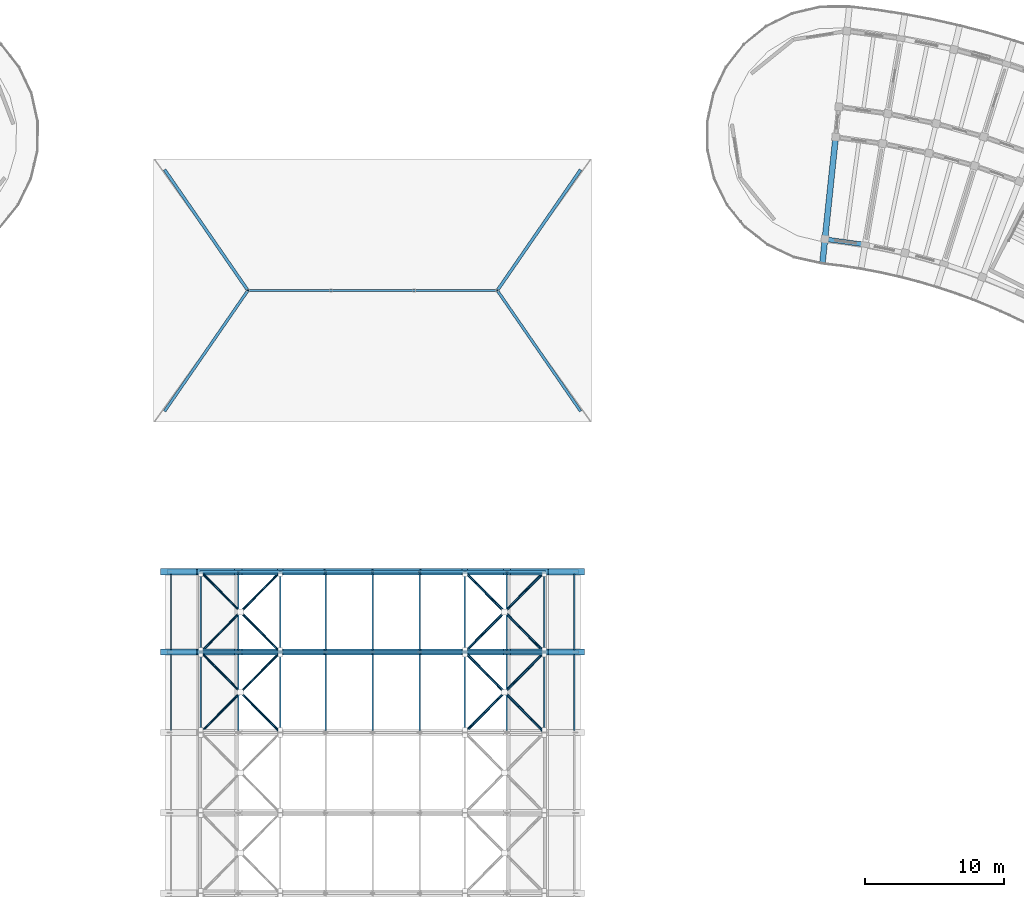
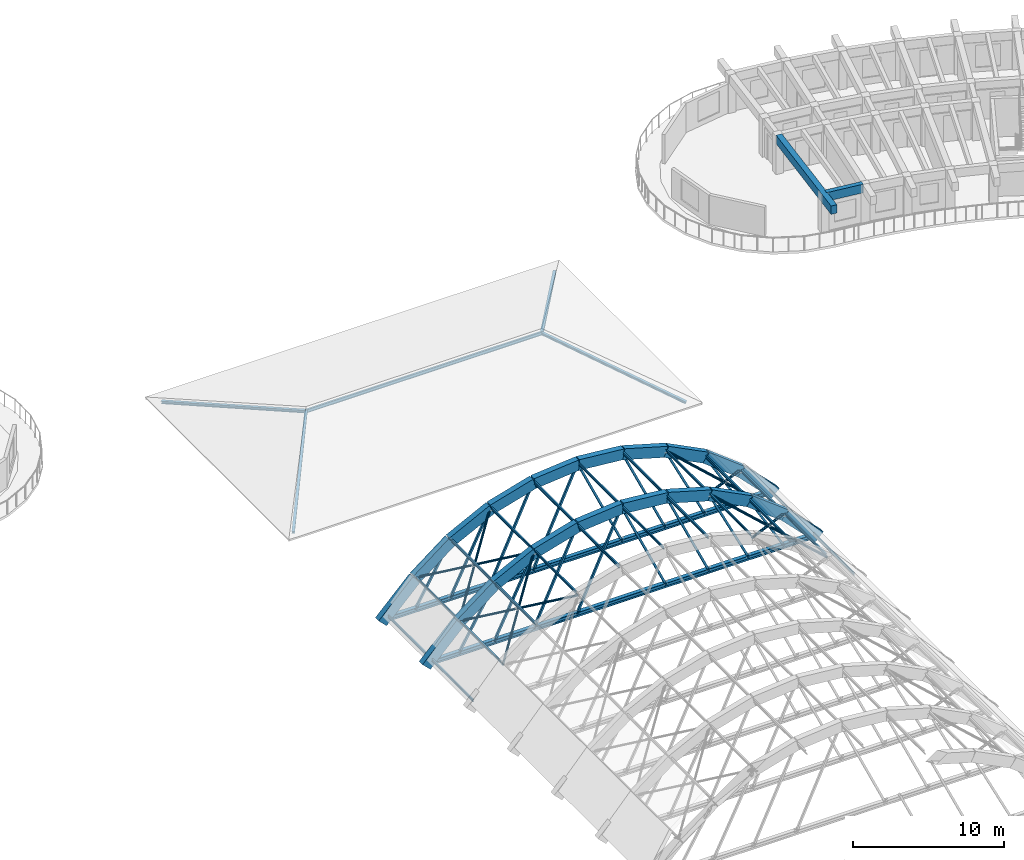
# One storey, part 15 of 81: 54 members, 25 beams.
"""IFC4 building model written with IfcOpenShell, lengths in metres."""

from ifc_helpers import new_model, si_unit, direction, frame, origin, origin_2d, place, context, subcontext, project, spatial, rectangle, hollow_rectangle, hollow_circle, i_section, extrude, material, material_profile, profile_set, type_object, element, save


model = new_model("IFC4")

# Units and contexts
model_context = context("Model", 3, precision=1e-05, world=origin(), true_north=direction((0.0, 1.0)))
body_context = subcontext(model_context, "Body", "Model", "MODEL_VIEW")
ifc_project = project(units=[si_unit("LENGTHUNIT", "METRE"), si_unit("AREAUNIT", "SQUARE_METRE"), si_unit("VOLUMEUNIT", "CUBIC_METRE"), si_unit("PLANEANGLEUNIT", "RADIAN"), si_unit("MASSUNIT", "GRAM", prefix="KILO")], contexts=[model_context])

# Site, building, storey
site_placement = place(None, origin())
site = spatial("IfcSite", under=ifc_project, at=site_placement, CompositionType="ELEMENT")
building_placement = place(site_placement, origin())
building = spatial("IfcBuilding", under=site, at=building_placement, Name="Tanwirah Colonnade Gardens", CompositionType="ELEMENT")
storey_placement = place(building_placement, frame((0.0, 0.0, 8.840087890625)))
storey = spatial("IfcBuildingStorey", under=building, at=storey_placement, Name="L02", CompositionType="ELEMENT", Elevation=8.840087890625)

# Beam
ifc_material_1 = material(Name="Precast concrete C45/55", Category="concrete")
ifc_material_profile_1 = material_profile(ifc_material_1, rectangle(XDim=0.419921875, YDim=0.679931640625, at=origin_2d()), Name="PC-BM 420x680")
ifc_profile_set_1 = profile_set([ifc_material_profile_1], Name="Precast concrete C45/55")
beam_type_1 = type_object("IfcBeamType", Name="BM-PC420", PredefinedType="BEAM", material=ifc_profile_set_1)
beam_1_placement = place(storey_placement, frame((126.404052734375, 111.61669921875, 2.764892578125), z_axis=(-0.104531425475, -0.994521584023, 0.0), x_axis=(0.994521584023, -0.104531425475, 0.0)))
element("IfcBeam", 1, at=beam_1_placement, inside=storey, type_object=beam_type_1, Name="Block B L02 Inner Radial Precast Girder 18", PredefinedType="BEAM", context=body_context, shape_type="SweptSolid", body=[
    extrude(rectangle(XDim=0.419921875, YDim=0.679931640625, at=origin_2d()), origin(), (0.0, 0.0, 1.0), 8.949951171875),
])

# Members
ifc_material_2 = material(Name="Steel S355", Category="steel")
ifc_material_profile_2 = material_profile(ifc_material_2, hollow_circle(Radius=0.084228515625, WallThickness=0.010009765625, at=origin_2d()), Name="CHS 168.3x10")
ifc_profile_set_2 = profile_set([ifc_material_profile_2], Name="Steel S355")
member_type_1 = type_object("IfcMemberType", Name="BRC-CHS168", PredefinedType="BRACE", material=ifc_profile_set_2)
member_1_placement = place(storey_placement, frame((80.604736328125, 68.800048828125, 2.29345703125), z_axis=(0.642700500329, 0.650061128505, 0.405409171189), x_axis=(-0.711121325533, 0.70306931406, 0.0)))
element("IfcMember", 2, at=member_1_placement, inside=storey, type_object=member_type_1, Name="Vault Roof Continuous Diagonal Brace 6.1", PredefinedType="BRACE", context=body_context, shape_type="SweptSolid", body=[
    extrude(hollow_circle(Radius=0.084228515625, WallThickness=0.010009765625, at=origin_2d()), origin(), (0.0, 0.0, 1.0), 8.92236328125),
])
for number, where, z_axis, x_axis, name in (
    (3, (86.339111328125, 68.800048828125, 5.91064453125), (-0.642692872086, 0.650060107494, -0.405422901196), (-0.711124945561, -0.703065652554, 0.0), "Vault Roof Split Diagonal Brace 6.2A"),
    (4, (83.394775390625, 71.778076171875, 4.05322265625), (-0.642707525194, 0.650074928572, -0.405375904935), (-0.711124945561, -0.703065652554, 0.0), "Vault Roof Split Diagonal Brace 6.2B"),
):
    element("IfcMember", number, at=place(storey_placement, frame(where, z_axis=z_axis, x_axis=x_axis)), inside=storey, type_object=member_type_1, Name=name, PredefinedType="BRACE", context=body_context, shape_type="SweptSolid", body=[
        extrude(hollow_circle(Radius=0.084228515625, WallThickness=0.010009765625, at=origin_2d()), origin(), (0.0, 0.0, 1.0), 4.341064453125),
    ])
member_2_placement = place(storey_placement, frame((80.604736328125, 74.60009765625, 2.29345703125), z_axis=(0.642711932478, 0.650045328166, 0.405416382476), x_axis=(-0.711106528922, 0.703084279816, 0.0)))
element("IfcMember", 5, at=member_2_placement, inside=storey, type_object=member_type_1, Name="Vault Roof Continuous Diagonal Brace 7.1", PredefinedType="BRACE", context=body_context, shape_type="SweptSolid", body=[
    extrude(hollow_circle(Radius=0.084228515625, WallThickness=0.010009765625, at=origin_2d()), origin(), (0.0, 0.0, 1.0), 8.922119140625),
])
member_3_placement = place(storey_placement, frame((86.339111328125, 74.60009765625, 5.91064453125), z_axis=(-0.642716368159, 0.65002763241, -0.405437722966), x_axis=(-0.711094533496, -0.703096411904, 0.0)))
element("IfcMember", 6, at=member_3_placement, inside=storey, type_object=member_type_1, Name="Vault Roof Split Diagonal Brace 7.2A", PredefinedType="BRACE", context=body_context, shape_type="SweptSolid", body=[
    extrude(hollow_circle(Radius=0.084228515625, WallThickness=0.010009765625, at=origin_2d()), origin(), (0.0, 0.0, 1.0), 4.341064453125),
])
member_4_placement = place(storey_placement, frame((83.394775390625, 77.578125, 4.05322265625), z_axis=(-0.642731022874, 0.650042453831, -0.405390725663), x_axis=(-0.711094533496, -0.703096411904, 0.0)))
element("IfcMember", 7, at=member_4_placement, inside=storey, type_object=member_type_1, Name="Vault Roof Split Diagonal Brace 7.2B", PredefinedType="BRACE", context=body_context, shape_type="SweptSolid", body=[
    extrude(hollow_circle(Radius=0.084228515625, WallThickness=0.010009765625, at=origin_2d()), origin(), (0.0, 0.0, 1.0), 4.3408203125),
])
ifc_material_profile_3 = material_profile(ifc_material_2, hollow_circle(Radius=0.096923828125, WallThickness=0.010009765625, at=origin_2d()), Name="CHS 193.7x10")
ifc_profile_set_3 = profile_set([ifc_material_profile_3], Name="Steel S355")
member_type_2 = type_object("IfcMemberType", Name="BRC-CHS194", PredefinedType="BRACE", material=ifc_profile_set_3)
member_5_placement = place(storey_placement, frame((99.660888671875, 68.800048828125, 5.91064453125), z_axis=(0.642700500329, 0.650061128505, -0.405409171189), x_axis=(-0.711121325533, 0.70306931406, 0.0)))
element("IfcMember", 8, at=member_5_placement, inside=storey, type_object=member_type_2, Name="Vault Roof Continuous Diagonal Brace 6.3", PredefinedType="BRACE", context=body_context, shape_type="SweptSolid", body=[
    extrude(hollow_circle(Radius=0.096923828125, WallThickness=0.010009765625, at=origin_2d()), origin(), (0.0, 0.0, 1.0), 8.92236328125),
])
for number, where, z_axis, x_axis, name in (
    (9, (105.395263671875, 68.800048828125, 2.29345703125), (-0.642707525194, 0.650074928572, 0.405375904935), (-0.711124945561, -0.703065652554, 0.0), "Vault Roof Split Diagonal Brace 6.4A"),
    (10, (102.450927734375, 71.778076171875, 4.150634765625), (-0.642692872086, 0.650060107494, 0.405422901196), (-0.711124945561, -0.703065652554, 0.0), "Vault Roof Split Diagonal Brace 6.4B"),
):
    element("IfcMember", number, at=place(storey_placement, frame(where, z_axis=z_axis, x_axis=x_axis)), inside=storey, type_object=member_type_2, Name=name, PredefinedType="BRACE", context=body_context, shape_type="SweptSolid", body=[
        extrude(hollow_circle(Radius=0.096923828125, WallThickness=0.010009765625, at=origin_2d()), origin(), (0.0, 0.0, 1.0), 4.341064453125),
    ])
member_6_placement = place(storey_placement, frame((99.660888671875, 74.60009765625, 5.91064453125), z_axis=(0.642711932478, 0.650045328166, -0.405416382476), x_axis=(-0.711106528922, 0.703084279816, 0.0)))
element("IfcMember", 11, at=member_6_placement, inside=storey, type_object=member_type_2, Name="Vault Roof Continuous Diagonal Brace 7.3", PredefinedType="BRACE", context=body_context, shape_type="SweptSolid", body=[
    extrude(hollow_circle(Radius=0.096923828125, WallThickness=0.010009765625, at=origin_2d()), origin(), (0.0, 0.0, 1.0), 8.922119140625),
])
member_7_placement = place(storey_placement, frame((105.395263671875, 74.60009765625, 2.29345703125), z_axis=(-0.642731022874, 0.650042453831, 0.405390725663), x_axis=(-0.711094533496, -0.703096411904, 0.0)))
element("IfcMember", 12, at=member_7_placement, inside=storey, type_object=member_type_2, Name="Vault Roof Split Diagonal Brace 7.4A", PredefinedType="BRACE", context=body_context, shape_type="SweptSolid", body=[
    extrude(hollow_circle(Radius=0.096923828125, WallThickness=0.010009765625, at=origin_2d()), origin(), (0.0, 0.0, 1.0), 4.3408203125),
])
member_8_placement = place(storey_placement, frame((102.450927734375, 77.578125, 4.150634765625), z_axis=(-0.642716368159, 0.65002763241, 0.405437722966), x_axis=(-0.711094533496, -0.703096411904, 0.0)))
element("IfcMember", 13, at=member_8_placement, inside=storey, type_object=member_type_2, Name="Vault Roof Split Diagonal Brace 7.4B", PredefinedType="BRACE", context=body_context, shape_type="SweptSolid", body=[
    extrude(hollow_circle(Radius=0.096923828125, WallThickness=0.010009765625, at=origin_2d()), origin(), (0.0, 0.0, 1.0), 4.341064453125),
])
ifc_material_profile_4 = material_profile(ifc_material_2, i_section(OverallWidth=0.110107421875, OverallDepth=0.219970703125, WebThickness=0.005859375, FlangeThickness=0.00927734375, at=origin_2d()), Name="IPE 220")
ifc_profile_set_4 = profile_set([ifc_material_profile_4], Name="Steel S355")
member_type_3 = type_object("IfcMemberType", Name="PRL-IPE180", PredefinedType="PURLIN", material=ifc_profile_set_4)
for number, where, z_axis, x_axis, name in (
    (14, (83.3017578125, 68.9599609375, 4.4716796875), (0.0, 1.0, 0.0), (-1.0, 0.0, 0.0), "Vault Longitudinal Steel Purlin 6.2"),
    (15, (89.610107421875, 68.9599609375, 6.9560546875), (0.0, 1.0, 0.0), (-1.0, 0.0, 0.0), "Vault Longitudinal Steel Purlin 6.4"),
    (16, (96.389892578125, 68.9599609375, 6.9560546875), (0.0, 1.0, 0.0), (-1.0, 0.0, 0.0), "Vault Longitudinal Steel Purlin 6.6"),
    (17, (102.6982421875, 68.9599609375, 4.4716796875), (0.0, 1.0, 0.0), (-1.0, 0.0, 0.0), "Vault Longitudinal Steel Purlin 6.8"),
    (18, (83.3017578125, 74.760009765625, 4.4716796875), (0.0, 1.0, 0.0), (-1.0, 0.0, 0.0), "Vault Longitudinal Steel Purlin 7.2"),
    (19, (89.610107421875, 74.760009765625, 6.9560546875), (0.0, 1.0, 0.0), (-1.0, 0.0, 0.0), "Vault Longitudinal Steel Purlin 7.4"),
    (20, (96.389892578125, 74.760009765625, 6.9560546875), (0.0, 1.0, 0.0), (-1.0, 0.0, 0.0), "Vault Longitudinal Steel Purlin 7.6"),
    (21, (102.6982421875, 74.760009765625, 4.4716796875), (0.0, 1.0, 0.0), (-1.0, 0.0, 0.0), "Vault Longitudinal Steel Purlin 7.8"),
):
    element("IfcMember", number, at=place(storey_placement, frame(where, z_axis=z_axis, x_axis=x_axis)), inside=storey, type_object=member_type_3, Name=name, PredefinedType="PURLIN", context=body_context, shape_type="SweptSolid", body=[
        extrude(i_section(OverallWidth=0.110107421875, OverallDepth=0.219970703125, WebThickness=0.005859375, FlangeThickness=0.00927734375, at=origin_2d()), origin(), (0.0, 0.0, 1.0), 5.47998046875),
    ])
ifc_material_profile_5 = material_profile(ifc_material_2, i_section(OverallWidth=0.10009765625, OverallDepth=0.199951171875, WebThickness=0.005615234375, FlangeThickness=0.008544921875, at=origin_2d()), Name="IPE 200")
ifc_profile_set_5 = profile_set([ifc_material_profile_5], Name="Steel S355")
member_type_4 = type_object("IfcMemberType", Name="PRL-IPE200", PredefinedType="PURLIN", material=ifc_profile_set_5)
for number, where, z_axis, x_axis, name in (
    (22, (78.449951171875, 68.9599609375, 0.06982421875), (0.0, 1.0, 0.0), (-1.0, 0.0, 0.0), "Vault Eave Steel Purlin 6.W"),
    (23, (107.550048828125, 68.9599609375, 0.06982421875), (0.0, 1.0, 0.0), (-1.0, 0.0, 0.0), "Vault Eave Steel Purlin 6.E"),
    (24, (80.604736328125, 68.9599609375, 2.393310546875), (0.0, 1.0, 0.0), (-1.0, 0.0, 0.0), "Vault Longitudinal Steel Purlin 6.1"),
    (25, (86.339111328125, 68.9599609375, 6.010498046875), (0.0, 1.0, 0.0), (-1.0, 0.0, 0.0), "Vault Longitudinal Steel Purlin 6.3"),
    (26, (93.0, 68.9599609375, 7.27490234375), (0.0, 1.0, 0.0), (-1.0, 0.0, 0.0), "Vault Longitudinal Steel Purlin 6.5"),
    (27, (99.660888671875, 68.9599609375, 6.010498046875), (0.0, 1.0, 0.0), (-1.0, 0.0, 0.0), "Vault Longitudinal Steel Purlin 6.7"),
    (28, (105.395263671875, 68.9599609375, 2.393310546875), (0.0, 1.0, 0.0), (-1.0, 0.0, 0.0), "Vault Longitudinal Steel Purlin 6.9"),
    (29, (78.449951171875, 74.760009765625, 0.06982421875), (0.0, 1.0, 0.0), (-1.0, 0.0, 0.0), "Vault Eave Steel Purlin 7.W"),
    (30, (107.550048828125, 74.760009765625, 0.06982421875), (0.0, 1.0, 0.0), (-1.0, 0.0, 0.0), "Vault Eave Steel Purlin 7.E"),
    (31, (80.604736328125, 74.760009765625, 2.393310546875), (0.0, 1.0, 0.0), (-1.0, 0.0, 0.0), "Vault Longitudinal Steel Purlin 7.1"),
    (32, (86.339111328125, 74.760009765625, 6.010498046875), (0.0, 1.0, 0.0), (-1.0, 0.0, 0.0), "Vault Longitudinal Steel Purlin 7.3"),
    (33, (93.0, 74.760009765625, 7.27490234375), (0.0, 1.0, 0.0), (-1.0, 0.0, 0.0), "Vault Longitudinal Steel Purlin 7.5"),
    (34, (99.660888671875, 74.760009765625, 6.010498046875), (0.0, 1.0, 0.0), (-1.0, 0.0, 0.0), "Vault Longitudinal Steel Purlin 7.7"),
    (35, (105.395263671875, 74.760009765625, 2.393310546875), (0.0, 1.0, 0.0), (-1.0, 0.0, 0.0), "Vault Longitudinal Steel Purlin 7.9"),
):
    element("IfcMember", number, at=place(storey_placement, frame(where, z_axis=z_axis, x_axis=x_axis)), inside=storey, type_object=member_type_4, Name=name, PredefinedType="PURLIN", context=body_context, shape_type="SweptSolid", body=[
        extrude(i_section(OverallWidth=0.10009765625, OverallDepth=0.199951171875, WebThickness=0.005615234375, FlangeThickness=0.008544921875, at=origin_2d()), origin(), (0.0, 0.0, 1.0), 5.47998046875),
    ])
ifc_material_profile_6 = material_profile(ifc_material_2, i_section(OverallWidth=0.219970703125, OverallDepth=0.2099609375, WebThickness=0.007080078125, FlangeThickness=0.010986328125, at=origin_2d()), Name="HEA 220")
ifc_profile_set_6 = profile_set([ifc_material_profile_6], Name="Steel S355")
member_type_5 = type_object("IfcMemberType", Name="RFT-HEA180", PredefinedType="RAFTER", material=ifc_profile_set_6)
for number, where, z_axis, x_axis, name in (
    (36, (108.0, 109.39990234375, -0.18017578125), (-0.553409575104, -0.802439380242, 0.223223841065), (0.823211296713, -0.56773511514, 0.0), "Nursery Hip Rafter 3"),
    (37, (78.0, 109.39990234375, -0.18017578125), (0.553409575104, -0.802439380242, 0.223223841065), (0.823211296713, 0.56773511514, 0.0), "Nursery Hip Rafter 4"),
):
    element("IfcMember", number, at=place(storey_placement, frame(where, z_axis=z_axis, x_axis=x_axis)), inside=storey, type_object=member_type_5, Name=name, PredefinedType="RAFTER", context=body_context, shape_type="SweptSolid", body=[
        extrude(i_section(OverallWidth=0.219970703125, OverallDepth=0.2099609375, WebThickness=0.007080078125, FlangeThickness=0.010986328125, at=origin_2d()), origin(), (0.0, 0.0, 1.0), 10.841796875),
    ])
ifc_material_profile_7 = material_profile(ifc_material_2, i_section(OverallWidth=0.199951171875, OverallDepth=0.18994140625, WebThickness=0.006591796875, FlangeThickness=0.010009765625, at=origin_2d()), Name="HEA 200")
ifc_profile_set_7 = profile_set([ifc_material_profile_7], Name="Steel S355")
member_type_6 = type_object("IfcMemberType", Name="RFT-HEA200", PredefinedType="RAFTER", material=ifc_profile_set_7)
for number, where, z_axis, x_axis, name in (
    (38, (78.0, 92.0, -0.18017578125), (0.553409575104, 0.802439380242, 0.223223841065), (-0.823211296713, 0.56773511514, 0.0), "Nursery Hip Rafter 1"),
    (39, (108.0, 92.0, -0.18017578125), (-0.553409575104, 0.802439380242, 0.223223841065), (-0.823211296713, -0.56773511514, 0.0), "Nursery Hip Rafter 2"),
):
    element("IfcMember", number, at=place(storey_placement, frame(where, z_axis=z_axis, x_axis=x_axis)), inside=storey, type_object=member_type_6, Name=name, PredefinedType="RAFTER", context=body_context, shape_type="SweptSolid", body=[
        extrude(i_section(OverallWidth=0.199951171875, OverallDepth=0.18994140625, WebThickness=0.006591796875, FlangeThickness=0.010009765625, at=origin_2d()), origin(), (0.0, 0.0, 1.0), 10.841796875),
    ])

# Beams
ifc_material_profile_8 = material_profile(ifc_material_1, rectangle(XDim=0.449951171875, YDim=0.85009765625, at=origin_2d()), Name="PC-RIB 450x850")
ifc_profile_set_8 = profile_set([ifc_material_profile_8], Name="Precast concrete C45/55")
beam_type_2 = type_object("IfcBeamType", Name="RIB-V450", PredefinedType="BEAM", material=ifc_profile_set_8)
beam_2_placement = place(storey_placement, frame((78.0, 74.60009765625, -0.35009765625), z_axis=(0.701857552298, 0.0, 0.712317328361), x_axis=(0.0, 1.0, 0.0)))
element("IfcBeam", 40, at=beam_2_placement, inside=storey, type_object=beam_type_2, Name="Vault Precast Arch Rib 7 Segment 1", PredefinedType="BEAM", context=body_context, shape_type="SweptSolid", body=[
    extrude(rectangle(XDim=0.449951171875, YDim=0.85009765625, at=origin_2d()), origin(), (0.0, 0.0, 1.0), 3.711181640625),
])
beam_3_placement = place(storey_placement, frame((80.604736328125, 74.60009765625, 2.29345703125), z_axis=(0.792127921204, 0.0, 0.610355106843), x_axis=(0.0, 1.0, 0.0)))
element("IfcBeam", 41, at=beam_3_placement, inside=storey, type_object=beam_type_2, Name="Vault Precast Arch Rib 7 Segment 2", PredefinedType="BEAM", context=body_context, shape_type="SweptSolid", body=[
    extrude(rectangle(XDim=0.449951171875, YDim=0.85009765625, at=origin_2d()), origin(), (0.0, 0.0, 1.0), 3.40478515625),
])
beam_4_placement = place(storey_placement, frame((83.3017578125, 74.60009765625, 4.37158203125), z_axis=(0.892019587428, 0.0, 0.451996742958), x_axis=(0.0, 1.0, 0.0)))
element("IfcBeam", 42, at=beam_4_placement, inside=storey, type_object=beam_type_2, Name="Vault Precast Arch Rib 7 Segment 3", PredefinedType="BEAM", context=body_context, shape_type="SweptSolid", body=[
    extrude(rectangle(XDim=0.449951171875, YDim=0.85009765625, at=origin_2d()), origin(), (0.0, 0.0, 1.0), 3.405029296875),
])
for number, where, z_axis, x_axis, name in (
    (43, (86.339111328125, 74.60009765625, 5.91064453125), (0.960686137021, 0.0, 0.277636716118), (0.0, 1.0, 0.0), "Vault Precast Arch Rib 7 Segment 4"),
    (44, (89.610107421875, 74.60009765625, 6.85595703125), (0.99560565079, 0.0, 0.093645011158), (0.0, 1.0, 0.0), "Vault Precast Arch Rib 7 Segment 5"),
    (45, (93.0, 74.60009765625, 7.1748046875), (0.99560565079, 0.0, -0.093645011158), (0.0, 1.0, 0.0), "Vault Precast Arch Rib 7 Segment 6"),
    (46, (96.389892578125, 74.60009765625, 6.85595703125), (0.960686137021, 0.0, -0.277636716118), (0.0, 1.0, 0.0), "Vault Precast Arch Rib 7 Segment 7"),
):
    element("IfcBeam", number, at=place(storey_placement, frame(where, z_axis=z_axis, x_axis=x_axis)), inside=storey, type_object=beam_type_2, Name=name, PredefinedType="BEAM", context=body_context, shape_type="SweptSolid", body=[
        extrude(rectangle(XDim=0.449951171875, YDim=0.85009765625, at=origin_2d()), origin(), (0.0, 0.0, 1.0), 3.40478515625),
    ])
beam_5_placement = place(storey_placement, frame((99.660888671875, 74.60009765625, 5.91064453125), z_axis=(0.892019587428, 0.0, -0.451996742958), x_axis=(0.0, 1.0, 0.0)))
element("IfcBeam", 47, at=beam_5_placement, inside=storey, type_object=beam_type_2, Name="Vault Precast Arch Rib 7 Segment 8", PredefinedType="BEAM", context=body_context, shape_type="SweptSolid", body=[
    extrude(rectangle(XDim=0.449951171875, YDim=0.85009765625, at=origin_2d()), origin(), (0.0, 0.0, 1.0), 3.405029296875),
])
beam_6_placement = place(storey_placement, frame((102.6982421875, 74.60009765625, 4.37158203125), z_axis=(0.792127921204, 0.0, -0.610355106843), x_axis=(0.0, 1.0, 0.0)))
element("IfcBeam", 48, at=beam_6_placement, inside=storey, type_object=beam_type_2, Name="Vault Precast Arch Rib 7 Segment 9", PredefinedType="BEAM", context=body_context, shape_type="SweptSolid", body=[
    extrude(rectangle(XDim=0.449951171875, YDim=0.85009765625, at=origin_2d()), origin(), (0.0, 0.0, 1.0), 3.40478515625),
])
for number, where, z_axis, x_axis, name in (
    (49, (105.395263671875, 74.60009765625, 2.29345703125), (0.701857552298, 0.0, -0.712317328361), (0.0, 1.0, 0.0), "Vault Precast Arch Rib 7 Segment 10"),
    (50, (78.0, 80.39990234375, -0.35009765625), (0.701857552298, 0.0, 0.712317328361), (0.0, 1.0, 0.0), "Vault Precast Arch Rib 8 Segment 1"),
):
    element("IfcBeam", number, at=place(storey_placement, frame(where, z_axis=z_axis, x_axis=x_axis)), inside=storey, type_object=beam_type_2, Name=name, PredefinedType="BEAM", context=body_context, shape_type="SweptSolid", body=[
        extrude(rectangle(XDim=0.449951171875, YDim=0.85009765625, at=origin_2d()), origin(), (0.0, 0.0, 1.0), 3.711181640625),
    ])
beam_7_placement = place(storey_placement, frame((80.604736328125, 80.39990234375, 2.29345703125), z_axis=(0.792127921204, 0.0, 0.610355106843), x_axis=(0.0, 1.0, 0.0)))
element("IfcBeam", 51, at=beam_7_placement, inside=storey, type_object=beam_type_2, Name="Vault Precast Arch Rib 8 Segment 2", PredefinedType="BEAM", context=body_context, shape_type="SweptSolid", body=[
    extrude(rectangle(XDim=0.449951171875, YDim=0.85009765625, at=origin_2d()), origin(), (0.0, 0.0, 1.0), 3.40478515625),
])
beam_8_placement = place(storey_placement, frame((83.3017578125, 80.39990234375, 4.37158203125), z_axis=(0.892019587428, 0.0, 0.451996742958), x_axis=(0.0, 1.0, 0.0)))
element("IfcBeam", 52, at=beam_8_placement, inside=storey, type_object=beam_type_2, Name="Vault Precast Arch Rib 8 Segment 3", PredefinedType="BEAM", context=body_context, shape_type="SweptSolid", body=[
    extrude(rectangle(XDim=0.449951171875, YDim=0.85009765625, at=origin_2d()), origin(), (0.0, 0.0, 1.0), 3.405029296875),
])
for number, where, z_axis, x_axis, name in (
    (53, (86.339111328125, 80.39990234375, 5.91064453125), (0.960686137021, 0.0, 0.277636716118), (0.0, 1.0, 0.0), "Vault Precast Arch Rib 8 Segment 4"),
    (54, (89.610107421875, 80.39990234375, 6.85595703125), (0.99560565079, 0.0, 0.093645011158), (0.0, 1.0, 0.0), "Vault Precast Arch Rib 8 Segment 5"),
    (55, (93.0, 80.39990234375, 7.1748046875), (0.99560565079, 0.0, -0.093645011158), (0.0, 1.0, 0.0), "Vault Precast Arch Rib 8 Segment 6"),
    (56, (96.389892578125, 80.39990234375, 6.85595703125), (0.960686137021, 0.0, -0.277636716118), (0.0, 1.0, 0.0), "Vault Precast Arch Rib 8 Segment 7"),
):
    element("IfcBeam", number, at=place(storey_placement, frame(where, z_axis=z_axis, x_axis=x_axis)), inside=storey, type_object=beam_type_2, Name=name, PredefinedType="BEAM", context=body_context, shape_type="SweptSolid", body=[
        extrude(rectangle(XDim=0.449951171875, YDim=0.85009765625, at=origin_2d()), origin(), (0.0, 0.0, 1.0), 3.40478515625),
    ])
beam_9_placement = place(storey_placement, frame((99.660888671875, 80.39990234375, 5.91064453125), z_axis=(0.892019587428, 0.0, -0.451996742958), x_axis=(0.0, 1.0, 0.0)))
element("IfcBeam", 57, at=beam_9_placement, inside=storey, type_object=beam_type_2, Name="Vault Precast Arch Rib 8 Segment 8", PredefinedType="BEAM", context=body_context, shape_type="SweptSolid", body=[
    extrude(rectangle(XDim=0.449951171875, YDim=0.85009765625, at=origin_2d()), origin(), (0.0, 0.0, 1.0), 3.405029296875),
])
beam_10_placement = place(storey_placement, frame((102.6982421875, 80.39990234375, 4.37158203125), z_axis=(0.792127921204, 0.0, -0.610355106843), x_axis=(0.0, 1.0, 0.0)))
element("IfcBeam", 58, at=beam_10_placement, inside=storey, type_object=beam_type_2, Name="Vault Precast Arch Rib 8 Segment 9", PredefinedType="BEAM", context=body_context, shape_type="SweptSolid", body=[
    extrude(rectangle(XDim=0.449951171875, YDim=0.85009765625, at=origin_2d()), origin(), (0.0, 0.0, 1.0), 3.40478515625),
])
beam_11_placement = place(storey_placement, frame((105.395263671875, 80.39990234375, 2.29345703125), z_axis=(0.701857552298, 0.0, -0.712317328361), x_axis=(0.0, 1.0, 0.0)))
element("IfcBeam", 59, at=beam_11_placement, inside=storey, type_object=beam_type_2, Name="Vault Precast Arch Rib 8 Segment 10", PredefinedType="BEAM", context=body_context, shape_type="SweptSolid", body=[
    extrude(rectangle(XDim=0.449951171875, YDim=0.85009765625, at=origin_2d()), origin(), (0.0, 0.0, 1.0), 3.711181640625),
])
ifc_material_profile_9 = material_profile(ifc_material_2, i_section(OverallWidth=0.135009765625, OverallDepth=0.27001953125, WebThickness=0.006591796875, FlangeThickness=0.01025390625, at=origin_2d()), Name="IPE 270")
ifc_profile_set_9 = profile_set([ifc_material_profile_9], Name="Steel S355")
beam_type_3 = type_object("IfcBeamType", Name="SBM-IPE270", PredefinedType="BEAM", material=ifc_profile_set_9)
beam_12_placement = place(storey_placement, frame((84.0, 100.699951171875, 2.239990234375), z_axis=(1.0, 0.0, 0.0), x_axis=(0.0, 1.0, 0.0)))
element("IfcBeam", 60, at=beam_12_placement, inside=storey, type_object=beam_type_3, Name="Nursery Roof Ridge Beam", PredefinedType="BEAM", context=body_context, shape_type="SweptSolid", body=[
    extrude(i_section(OverallWidth=0.135009765625, OverallDepth=0.27001953125, WebThickness=0.006591796875, FlangeThickness=0.01025390625, at=origin_2d()), origin(), (0.0, 0.0, 1.0), 18.0),
])
ifc_material_3 = material(Name="Precast concrete C40/50", Category="concrete")
ifc_material_profile_10 = material_profile(ifc_material_3, rectangle(XDim=0.3349609375, YDim=0.695068359375, at=origin_2d()), Name="PC-SP 335x695")
ifc_profile_set_10 = profile_set([ifc_material_profile_10], Name="Precast concrete C40/50")
beam_type_4 = type_object("IfcBeamType", Name="SP-PC300", PredefinedType="SPANDREL", material=ifc_profile_set_10)
beam_13_placement = place(storey_placement, frame((128.400146484375, 104.02490234375, 2.75732421875), z_axis=(-0.990531232354, 0.13728757311, 0.0), x_axis=(-0.13728757311, -0.990531232354, 0.0)))
element("IfcBeam", 61, at=beam_13_placement, inside=storey, type_object=beam_type_4, Name="Block B L02 Circumferential Beam 17-R0", PredefinedType="SPANDREL", context=body_context, shape_type="SweptSolid", body=[
    extrude(rectangle(XDim=0.3349609375, YDim=0.695068359375, at=origin_2d()), origin(), (0.0, 0.0, 1.0), 2.630126953125),
])
ifc_material_profile_11 = material_profile(ifc_material_2, i_section(OverallWidth=0.300048828125, OverallDepth=0.360107421875, WebThickness=0.012451171875, FlangeThickness=0.0224609375, at=origin_2d()), Name="HEB 360")
ifc_profile_set_11 = profile_set([ifc_material_profile_11], Name="Steel S355")
beam_type_5 = type_object("IfcBeamType", Name="STIE-HEB360", PredefinedType="BEAM", material=ifc_profile_set_11)
for number, where, z_axis, x_axis, name in (
    (62, (78.14990234375, 74.60009765625, -0.239990234375), (1.0, 0.0, 0.0), (0.0, 1.0, 0.0), "Vault Springing Steel Tension Tie 7"),
    (63, (78.14990234375, 80.39990234375, -0.239990234375), (1.0, 0.0, 0.0), (0.0, 1.0, 0.0), "Vault Springing Steel Tension Tie 8"),
):
    element("IfcBeam", number, at=place(storey_placement, frame(where, z_axis=z_axis, x_axis=x_axis)), inside=storey, type_object=beam_type_5, Name=name, PredefinedType="BEAM", context=body_context, shape_type="SweptSolid", body=[
        extrude(i_section(OverallWidth=0.300048828125, OverallDepth=0.360107421875, WebThickness=0.012451171875, FlangeThickness=0.0224609375, at=origin_2d()), origin(), (0.0, 0.0, 1.0), 29.7001953125),
    ])

# Members
ifc_material_profile_12 = material_profile(ifc_material_2, hollow_rectangle(XDim=0.14990234375, YDim=0.14990234375, WallThickness=0.010009765625, at=origin_2d()), Name="SHS 150x150x10")
ifc_profile_set_12 = profile_set([ifc_material_profile_12], Name="Steel S355")
member_type_7 = type_object("IfcMemberType", Name="STR-SHS150", PredefinedType="STRUT", material=ifc_profile_set_12)
member_9_placement = place(storey_placement, frame((80.604736328125, 74.60009765625, -0.239990234375), z_axis=(0.504839627362, 0.0, 0.863213154815), x_axis=(0.0, 1.0, 0.0)))
element("IfcMember", 64, at=member_9_placement, inside=storey, type_object=member_type_7, Name="Vault Tied-Arch Diagonal Web 7.2", PredefinedType="STRUT", context=body_context, shape_type="SweptSolid", body=[
    extrude(hollow_rectangle(XDim=0.14990234375, YDim=0.14990234375, WallThickness=0.010009765625, at=origin_2d()), origin(), (0.0, 0.0, 1.0), 5.34228515625),
])
member_10_placement = place(storey_placement, frame((83.3017578125, 74.60009765625, -0.239990234375), z_axis=(0.442780665699, 0.0, 0.896629958279), x_axis=(0.0, 1.0, 0.0)))
element("IfcMember", 65, at=member_10_placement, inside=storey, type_object=member_type_7, Name="Vault Tied-Arch Diagonal Web 7.3", PredefinedType="STRUT", context=body_context, shape_type="SweptSolid", body=[
    extrude(hollow_rectangle(XDim=0.14990234375, YDim=0.14990234375, WallThickness=0.010009765625, at=origin_2d()), origin(), (0.0, 0.0, 1.0), 6.859619140625),
])
member_11_placement = place(storey_placement, frame((86.339111328125, 74.60009765625, -0.239990234375), z_axis=(0.418630140767, 0.0, 0.908156817539), x_axis=(0.0, 1.0, 0.0)))
element("IfcMember", 66, at=member_11_placement, inside=storey, type_object=member_type_7, Name="Vault Tied-Arch Diagonal Web 7.4", PredefinedType="STRUT", context=body_context, shape_type="SweptSolid", body=[
    extrude(hollow_rectangle(XDim=0.14990234375, YDim=0.14990234375, WallThickness=0.010009765625, at=origin_2d()), origin(), (0.0, 0.0, 1.0), 7.8134765625),
])
for number, where, z_axis, x_axis, name in (
    (67, (89.610107421875, 74.60009765625, -0.239990234375), (0.415787359689, 0.0, 0.909461858201), (0.0, 1.0, 0.0), "Vault Tied-Arch Diagonal Web 7.5"),
    (68, (96.389892578125, 74.60009765625, -0.239990234375), (-0.415787359689, 0.0, 0.909461858201), (0.0, -1.0, 0.0), "Vault Tied-Arch Diagonal Web 7.6"),
):
    element("IfcMember", number, at=place(storey_placement, frame(where, z_axis=z_axis, x_axis=x_axis)), inside=storey, type_object=member_type_7, Name=name, PredefinedType="STRUT", context=body_context, shape_type="SweptSolid", body=[
        extrude(hollow_rectangle(XDim=0.14990234375, YDim=0.14990234375, WallThickness=0.010009765625, at=origin_2d()), origin(), (0.0, 0.0, 1.0), 8.15283203125),
    ])
member_12_placement = place(storey_placement, frame((99.660888671875, 74.60009765625, -0.239990234375), z_axis=(-0.418630140767, 0.0, 0.908156817539), x_axis=(0.0, -1.0, 0.0)))
element("IfcMember", 69, at=member_12_placement, inside=storey, type_object=member_type_7, Name="Vault Tied-Arch Diagonal Web 7.7", PredefinedType="STRUT", context=body_context, shape_type="SweptSolid", body=[
    extrude(hollow_rectangle(XDim=0.14990234375, YDim=0.14990234375, WallThickness=0.010009765625, at=origin_2d()), origin(), (0.0, 0.0, 1.0), 7.8134765625),
])
member_13_placement = place(storey_placement, frame((102.6982421875, 74.60009765625, -0.239990234375), z_axis=(-0.442780665699, 0.0, 0.896629958279), x_axis=(0.0, -1.0, 0.0)))
element("IfcMember", 70, at=member_13_placement, inside=storey, type_object=member_type_7, Name="Vault Tied-Arch Diagonal Web 7.8", PredefinedType="STRUT", context=body_context, shape_type="SweptSolid", body=[
    extrude(hollow_rectangle(XDim=0.14990234375, YDim=0.14990234375, WallThickness=0.010009765625, at=origin_2d()), origin(), (0.0, 0.0, 1.0), 6.859619140625),
])
for number, where, z_axis, x_axis, name in (
    (71, (105.395263671875, 74.60009765625, -0.239990234375), (-0.504839627362, 0.0, 0.863213154815), (0.0, -1.0, 0.0), "Vault Tied-Arch Diagonal Web 7.9"),
    (72, (80.604736328125, 80.39990234375, -0.239990234375), (0.504839627362, 0.0, 0.863213154815), (0.0, 1.0, 0.0), "Vault Tied-Arch Diagonal Web 8.2"),
):
    element("IfcMember", number, at=place(storey_placement, frame(where, z_axis=z_axis, x_axis=x_axis)), inside=storey, type_object=member_type_7, Name=name, PredefinedType="STRUT", context=body_context, shape_type="SweptSolid", body=[
        extrude(hollow_rectangle(XDim=0.14990234375, YDim=0.14990234375, WallThickness=0.010009765625, at=origin_2d()), origin(), (0.0, 0.0, 1.0), 5.34228515625),
    ])
member_14_placement = place(storey_placement, frame((83.3017578125, 80.39990234375, -0.239990234375), z_axis=(0.442780665699, 0.0, 0.896629958279), x_axis=(0.0, 1.0, 0.0)))
element("IfcMember", 73, at=member_14_placement, inside=storey, type_object=member_type_7, Name="Vault Tied-Arch Diagonal Web 8.3", PredefinedType="STRUT", context=body_context, shape_type="SweptSolid", body=[
    extrude(hollow_rectangle(XDim=0.14990234375, YDim=0.14990234375, WallThickness=0.010009765625, at=origin_2d()), origin(), (0.0, 0.0, 1.0), 6.859619140625),
])
member_15_placement = place(storey_placement, frame((86.339111328125, 80.39990234375, -0.239990234375), z_axis=(0.418630140767, 0.0, 0.908156817539), x_axis=(0.0, 1.0, 0.0)))
element("IfcMember", 74, at=member_15_placement, inside=storey, type_object=member_type_7, Name="Vault Tied-Arch Diagonal Web 8.4", PredefinedType="STRUT", context=body_context, shape_type="SweptSolid", body=[
    extrude(hollow_rectangle(XDim=0.14990234375, YDim=0.14990234375, WallThickness=0.010009765625, at=origin_2d()), origin(), (0.0, 0.0, 1.0), 7.8134765625),
])
for number, where, z_axis, x_axis, name in (
    (75, (89.610107421875, 80.39990234375, -0.239990234375), (0.415787359689, 0.0, 0.909461858201), (0.0, 1.0, 0.0), "Vault Tied-Arch Diagonal Web 8.5"),
    (76, (96.389892578125, 80.39990234375, -0.239990234375), (-0.415787359689, 0.0, 0.909461858201), (0.0, -1.0, 0.0), "Vault Tied-Arch Diagonal Web 8.6"),
):
    element("IfcMember", number, at=place(storey_placement, frame(where, z_axis=z_axis, x_axis=x_axis)), inside=storey, type_object=member_type_7, Name=name, PredefinedType="STRUT", context=body_context, shape_type="SweptSolid", body=[
        extrude(hollow_rectangle(XDim=0.14990234375, YDim=0.14990234375, WallThickness=0.010009765625, at=origin_2d()), origin(), (0.0, 0.0, 1.0), 8.15283203125),
    ])
member_16_placement = place(storey_placement, frame((99.660888671875, 80.39990234375, -0.239990234375), z_axis=(-0.418630140767, 0.0, 0.908156817539), x_axis=(0.0, -1.0, 0.0)))
element("IfcMember", 77, at=member_16_placement, inside=storey, type_object=member_type_7, Name="Vault Tied-Arch Diagonal Web 8.7", PredefinedType="STRUT", context=body_context, shape_type="SweptSolid", body=[
    extrude(hollow_rectangle(XDim=0.14990234375, YDim=0.14990234375, WallThickness=0.010009765625, at=origin_2d()), origin(), (0.0, 0.0, 1.0), 7.8134765625),
])
member_17_placement = place(storey_placement, frame((102.6982421875, 80.39990234375, -0.239990234375), z_axis=(-0.442780665699, 0.0, 0.896629958279), x_axis=(0.0, -1.0, 0.0)))
element("IfcMember", 78, at=member_17_placement, inside=storey, type_object=member_type_7, Name="Vault Tied-Arch Diagonal Web 8.8", PredefinedType="STRUT", context=body_context, shape_type="SweptSolid", body=[
    extrude(hollow_rectangle(XDim=0.14990234375, YDim=0.14990234375, WallThickness=0.010009765625, at=origin_2d()), origin(), (0.0, 0.0, 1.0), 6.859619140625),
])
member_18_placement = place(storey_placement, frame((105.395263671875, 80.39990234375, -0.239990234375), z_axis=(-0.504839627362, 0.0, 0.863213154815), x_axis=(0.0, -1.0, 0.0)))
element("IfcMember", 79, at=member_18_placement, inside=storey, type_object=member_type_7, Name="Vault Tied-Arch Diagonal Web 8.9", PredefinedType="STRUT", context=body_context, shape_type="SweptSolid", body=[
    extrude(hollow_rectangle(XDim=0.14990234375, YDim=0.14990234375, WallThickness=0.010009765625, at=origin_2d()), origin(), (0.0, 0.0, 1.0), 5.34228515625),
])

save(model, "model.ifc")
